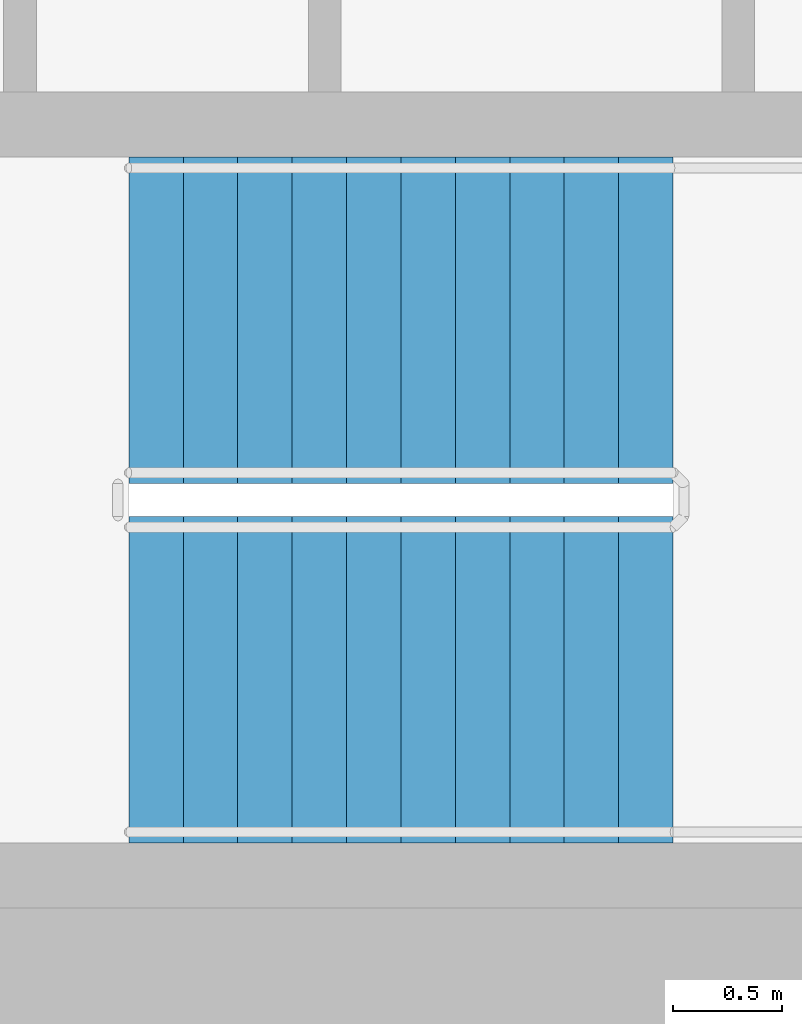
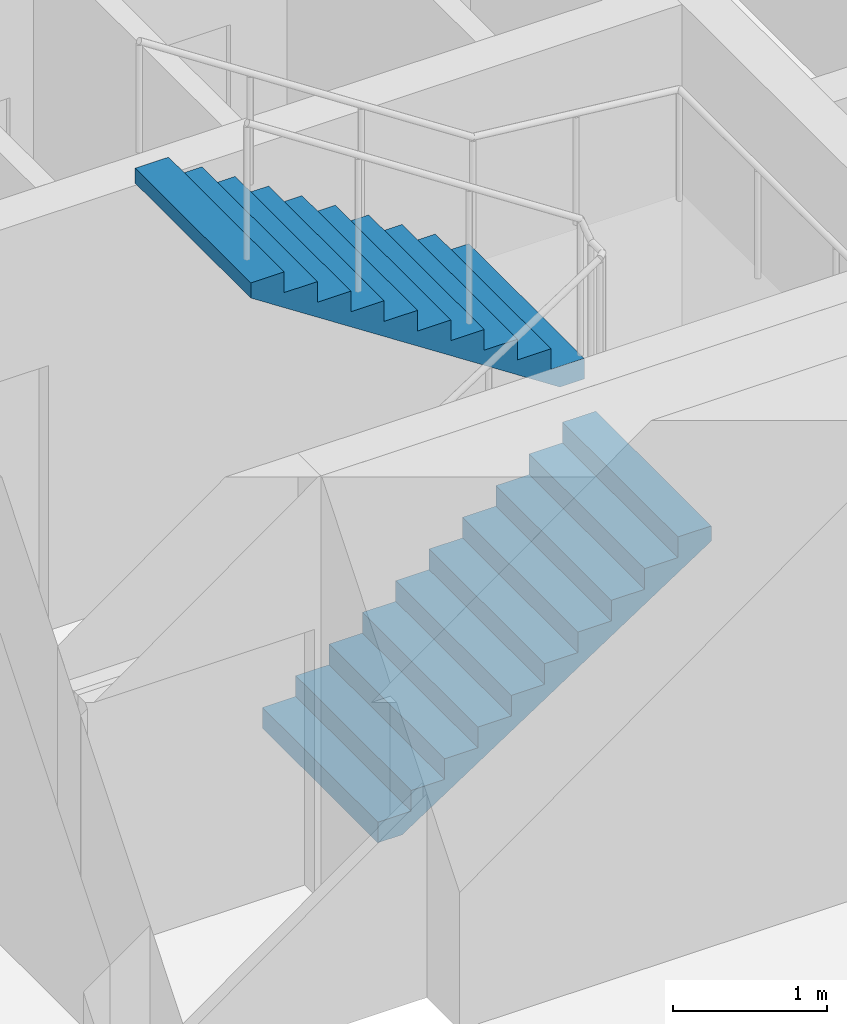
# One storey, part 9 of 10: 2 stair flights, 1 element without a shape of its own.
"""IFC4 building model written with IfcOpenShell, lengths in metres."""

from ifc_helpers import new_model, si_unit, direction, frame, origin, place, context, subcontext, project, spatial, polyline, outline, extrude, material, type_object, element, aggregate, save


model = new_model("IFC4")

# Units and contexts
model_context = context("Model", 3, precision=1e-05, world=origin(), true_north=direction((0.0, 1.0)))
body_context = subcontext(model_context, "Body", "Model", "MODEL_VIEW")
ifc_project = project(units=[si_unit("LENGTHUNIT", "METRE"), si_unit("AREAUNIT", "SQUARE_METRE"), si_unit("VOLUMEUNIT", "CUBIC_METRE"), si_unit("PLANEANGLEUNIT", "RADIAN"), si_unit("MASSUNIT", "GRAM", prefix="KILO")], contexts=[model_context])

# Site, building, storey
site_placement = place(None, origin())
site = spatial("IfcSite", under=ifc_project, at=site_placement, CompositionType="ELEMENT")
building_placement = place(site_placement, origin())
building = spatial("IfcBuilding", under=site, at=building_placement, Name="Tracery Tower", CompositionType="ELEMENT")
storey_placement = place(building_placement, frame((0.0, 0.0, 129.60009765625)))
storey = spatial("IfcBuildingStorey", under=building, at=storey_placement, Name="L32", CompositionType="ELEMENT", Elevation=129.60009765625)

# Stair, stair flights
ifc_material_1 = material(Name="Concrete C32/40", Category="concrete")
stair_type = type_object("IfcStairType", Name="Core stair 22 risers", PredefinedType="HALF_TURN_STAIR", material=ifc_material_1)
stair_placement = place(storey_placement, origin())
stair = element("IfcStair", 1, at=stair_placement, inside=storey, type_object=stair_type, Name="L32 stair ST2", PredefinedType="HALF_TURN_STAIR")
ifc_material_2 = material(Name="Concrete C32/40", Category="concrete")
stair_flight_type = type_object("IfcStairFlightType", Name="Core stair flight 11 risers", PredefinedType="STRAIGHT", material=ifc_material_2)
stair_flight_1_placement = place(storey_placement, frame((4.800048828125, -5.64990234375, 0.0), z_axis=(0.0, 0.0, 1.0), x_axis=(1.0, 0.0, 0.0)))
stair_flight_1 = element("IfcStairFlight", 2, at=stair_flight_1_placement, type_object=stair_flight_type, Name="ST2 flight 1", NumberOfRisers=11, NumberOfTreads=10, PredefinedType="STRAIGHT", RiserHeight=0.163636364, TreadLength=0.25, context=body_context, shape_type="SweptSolid", body=[
    extrude(outline(polyline([(0.0, 0.0), (0.0, 0.002685546875), (0.0, 0.00537109375), (0.0, 0.008056640625), (0.0, 0.0107421875), (0.0, 0.013427734375), (0.0, 0.01611328125), (0.0, 0.018798828125), (0.0, 0.021484375), (0.0, 0.024169921875), (0.0, 0.02685546875), (0.0, 0.029541015625), (0.0, 0.0322265625), (0.0, 0.034912109375), (0.0, 0.03759765625), (0.0, 0.040283203125), (0.0, 0.04296875), (0.0, 0.045654296875), (0.0, 0.04833984375), (0.0, 0.051025390625), (0.0, 0.0537109375), (0.0, 0.056396484375), (0.0, 0.05908203125), (0.0, 0.061767578125), (0.0, 0.064453125), (0.0, 0.067138671875), (0.0, 0.06982421875), (0.0, 0.072509765625), (0.0, 0.0751953125), (0.0, 0.077880859375), (0.0, 0.08056640625), (0.0, 0.083251953125), (0.0, 0.0859375), (0.0, 0.088623046875), (0.0, 0.09130859375), (0.0, 0.093994140625), (0.0, 0.0966796875), (0.0, 0.099365234375), (0.0, 0.10205078125), (0.0, 0.104736328125), (0.0, 0.107421875), (0.0, 0.10986328125), (0.0, 0.112548828125), (0.0, 0.115234375), (0.0, 0.117919921875), (0.0, 0.12060546875), (0.0, 0.123291015625), (0.0, 0.1259765625), (0.0, 0.128662109375), (0.0, 0.13134765625), (0.0, 0.134033203125), (0.0, 0.13671875), (0.0, 0.139404296875), (0.0, 0.14208984375), (0.0, 0.144775390625), (0.0, 0.1474609375), (0.0, 0.150146484375), (0.0, 0.15283203125), (0.0, 0.155517578125), (0.0, 0.158203125), (0.0, 0.160888671875), (0.0, 0.16357421875), (0.25, 0.16357421875), (0.25, 0.327392578125), (0.5, 0.327392578125), (0.5, 0.490966796875), (0.75, 0.490966796875), (0.75, 0.654541015625), (1.0, 0.654541015625), (1.0, 0.818115234375), (1.25, 0.818115234375), (1.25, 0.98193359375), (1.5, 0.98193359375), (1.5, 1.1455078125), (1.75, 1.1455078125), (1.75, 1.30908203125), (2.0, 1.30908203125), (2.0, 1.47265625), (2.25, 1.47265625), (2.25, 1.636474609375), (2.5, 1.636474609375), (2.5, 1.634521484375), (2.5, 1.63232421875), (2.5, 1.63037109375), (2.5, 1.62841796875), (2.5, 1.62646484375), (2.5, 1.62451171875), (2.5, 1.62255859375), (2.5, 1.62060546875), (2.5, 1.61865234375), (2.5, 1.61669921875), (2.5, 1.61474609375), (2.5, 1.61279296875), (2.5, 1.61083984375), (2.5, 1.60888671875), (2.5, 1.60693359375), (2.5, 1.60498046875), (2.5, 1.60302734375), (2.5, 1.60107421875), (2.5, 1.59912109375), (2.5, 1.59716796875), (2.5, 1.59521484375), (2.5, 1.59326171875), (2.5, 1.59130859375), (2.5, 1.58935546875), (2.5, 1.58740234375), (2.5, 1.58544921875), (2.5, 1.58349609375), (2.5, 1.58154296875), (2.5, 1.57958984375), (2.5, 1.57763671875), (2.5, 1.57568359375), (2.5, 1.573486328125), (2.5, 1.571533203125), (2.5, 1.569580078125), (2.5, 1.567626953125), (2.5, 1.565673828125), (2.5, 1.563720703125), (2.5, 1.561767578125), (2.5, 1.559814453125), (2.5, 1.557861328125), (2.5, 1.555908203125), (2.5, 1.553955078125), (2.5, 1.552001953125), (2.5, 1.550048828125), (2.5, 1.548095703125), (2.5, 1.546142578125), (2.5, 1.544189453125), (2.5, 1.542236328125), (2.5, 1.540283203125), (2.5, 1.538330078125), (2.5, 1.536376953125), (2.5, 1.534423828125), (2.5, 1.532470703125), (2.5, 1.530517578125), (2.5, 1.528564453125), (2.5, 1.526611328125), (2.5, 1.524658203125), (2.5, 1.522705078125), (2.5, 1.520751953125), (2.5, 1.518798828125), (2.5, 1.516845703125), (0.182861328125, 0.0), (0.0, 0.0)])), frame((0.0, 0.75, 0.0), z_axis=(0.0, -1.0, 0.0), x_axis=(1.0, 0.0, 0.0)), (0.0, 0.0, 1.0), 1.5),
])
stair_flight_2_placement = place(storey_placement, frame((7.300048828125, -4.0, 1.7998046875), z_axis=(0.0, 0.0, 1.0), x_axis=(-1.0, 0.0, 0.0)))
stair_flight_2 = element("IfcStairFlight", 3, at=stair_flight_2_placement, type_object=stair_flight_type, Name="ST2 flight 2", NumberOfRisers=11, NumberOfTreads=10, PredefinedType="STRAIGHT", RiserHeight=0.163636364, TreadLength=0.25, context=body_context, shape_type="SweptSolid", body=[
    extrude(outline(polyline([(0.0, 0.0), (0.0, 0.002685546875), (0.0, 0.00537109375), (0.0, 0.008056640625), (0.0, 0.0107421875), (0.0, 0.013427734375), (0.0, 0.01611328125), (0.0, 0.018798828125), (0.0, 0.021484375), (0.0, 0.024169921875), (0.0, 0.02685546875), (0.0, 0.029541015625), (0.0, 0.0322265625), (0.0, 0.034912109375), (0.0, 0.03759765625), (0.0, 0.040283203125), (0.0, 0.04296875), (0.0, 0.045654296875), (0.0, 0.04833984375), (0.0, 0.051025390625), (0.0, 0.0537109375), (0.0, 0.056396484375), (0.0, 0.05908203125), (0.0, 0.061767578125), (0.0, 0.064453125), (0.0, 0.067138671875), (0.0, 0.06982421875), (0.0, 0.072509765625), (0.0, 0.0751953125), (0.0, 0.077880859375), (0.0, 0.08056640625), (0.0, 0.083251953125), (0.0, 0.0859375), (0.0, 0.088623046875), (0.0, 0.09130859375), (0.0, 0.093994140625), (0.0, 0.0966796875), (0.0, 0.099365234375), (0.0, 0.10205078125), (0.0, 0.104736328125), (0.0, 0.107421875), (0.0, 0.10986328125), (0.0, 0.112548828125), (0.0, 0.115234375), (0.0, 0.117919921875), (0.0, 0.12060546875), (0.0, 0.123291015625), (0.0, 0.1259765625), (0.0, 0.128662109375), (0.0, 0.13134765625), (0.0, 0.134033203125), (0.0, 0.13671875), (0.0, 0.139404296875), (0.0, 0.14208984375), (0.0, 0.144775390625), (0.0, 0.1474609375), (0.0, 0.150146484375), (0.0, 0.15283203125), (0.0, 0.155517578125), (0.0, 0.158203125), (0.0, 0.160888671875), (0.0, 0.16357421875), (0.25, 0.16357421875), (0.25, 0.327392578125), (0.5, 0.327392578125), (0.5, 0.490966796875), (0.75, 0.490966796875), (0.75, 0.654541015625), (1.0, 0.654541015625), (1.0, 0.818115234375), (1.25, 0.818115234375), (1.25, 0.98193359375), (1.5, 0.98193359375), (1.5, 1.1455078125), (1.75, 1.1455078125), (1.75, 1.30908203125), (2.0, 1.30908203125), (2.0, 1.47265625), (2.25, 1.47265625), (2.25, 1.636474609375), (2.5, 1.636474609375), (2.5, 1.634521484375), (2.5, 1.63232421875), (2.5, 1.63037109375), (2.5, 1.62841796875), (2.5, 1.62646484375), (2.5, 1.62451171875), (2.5, 1.62255859375), (2.5, 1.62060546875), (2.5, 1.61865234375), (2.5, 1.61669921875), (2.5, 1.61474609375), (2.5, 1.61279296875), (2.5, 1.61083984375), (2.5, 1.60888671875), (2.5, 1.60693359375), (2.5, 1.60498046875), (2.5, 1.60302734375), (2.5, 1.60107421875), (2.5, 1.59912109375), (2.5, 1.59716796875), (2.5, 1.59521484375), (2.5, 1.59326171875), (2.5, 1.59130859375), (2.5, 1.58935546875), (2.5, 1.58740234375), (2.5, 1.58544921875), (2.5, 1.58349609375), (2.5, 1.58154296875), (2.5, 1.57958984375), (2.5, 1.57763671875), (2.5, 1.57568359375), (2.5, 1.573486328125), (2.5, 1.571533203125), (2.5, 1.569580078125), (2.5, 1.567626953125), (2.5, 1.565673828125), (2.5, 1.563720703125), (2.5, 1.561767578125), (2.5, 1.559814453125), (2.5, 1.557861328125), (2.5, 1.555908203125), (2.5, 1.553955078125), (2.5, 1.552001953125), (2.5, 1.550048828125), (2.5, 1.548095703125), (2.5, 1.546142578125), (2.5, 1.544189453125), (2.5, 1.542236328125), (2.5, 1.540283203125), (2.5, 1.538330078125), (2.5, 1.536376953125), (2.5, 1.534423828125), (2.5, 1.532470703125), (2.5, 1.530517578125), (2.5, 1.528564453125), (2.5, 1.526611328125), (2.5, 1.524658203125), (2.5, 1.522705078125), (2.5, 1.520751953125), (2.5, 1.518798828125), (2.5, 1.516845703125), (0.182861328125, 0.0), (0.0, 0.0)])), frame((0.0, 0.75, 0.0), z_axis=(0.0, -1.0, 0.0), x_axis=(1.0, 0.0, 0.0)), (0.0, 0.0, 1.0), 1.5),
])
aggregate(stair, [stair_flight_1, stair_flight_2])

save(model, "model.ifc")
